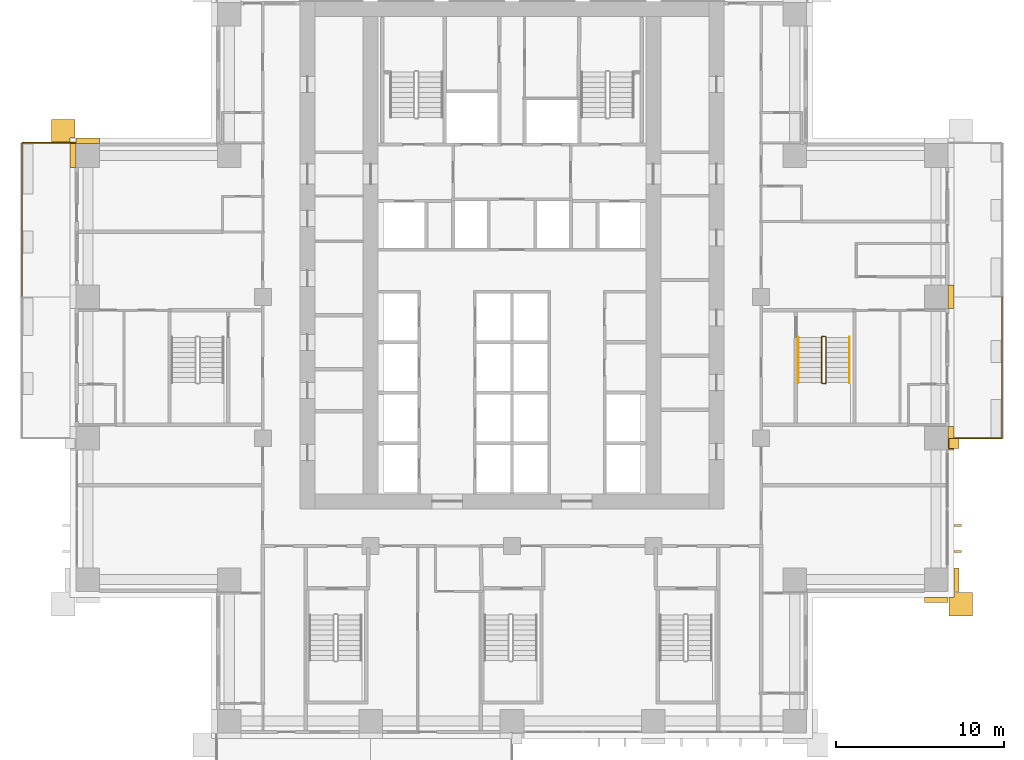
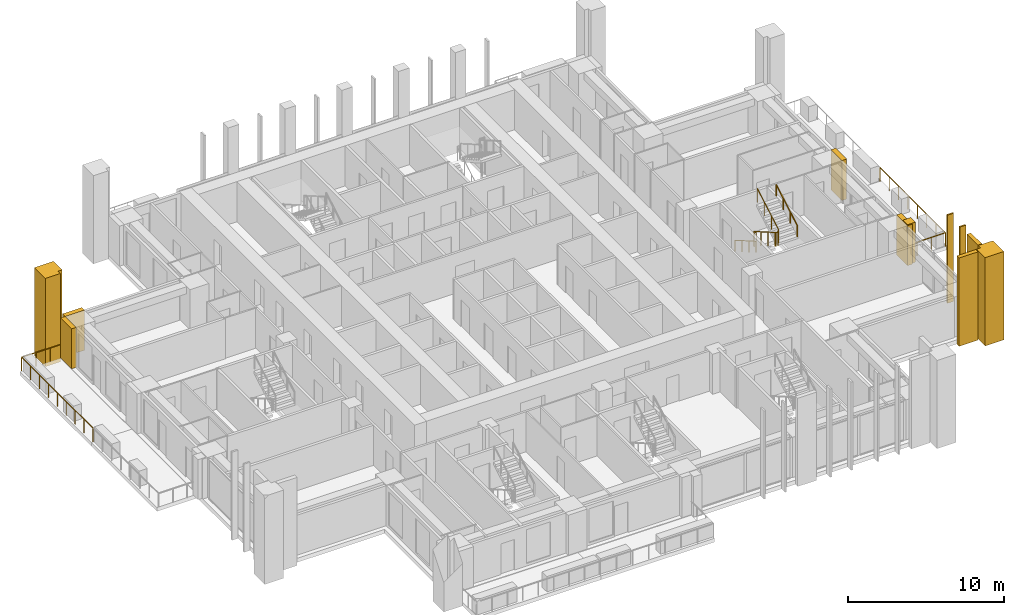
# One storey, part 16 of 18: 11 coverings, 5 railings.
"""IFC4 building model written with IfcOpenShell, lengths in metres."""

import ifcopenshell
import ifcopenshell.guid

model = None  # the IFC model being written
_history = None  # IfcOwnerHistory: only IFC2X3 demands one
_inside = {}  # id of a spatial element -> (the spatial element, [elements in it])
_under = {}  # id of a project, library or spatial element -> (it, [spatial elements below it])
_declared = {}  # id of a project -> (the project, [libraries it declares])
_typed = {}  # id of a type object -> (the type object, [elements of that type])
_made_of = {}  # id of a material, layer set ... -> (it, [elements and type objects made of it])


def new_model(schema):
    """Start an empty IFC model of exactly this schema.

    Asked for "IFC4X3", IfcOpenShell would pick the latest addendum, in which some entities
    have other attributes; the version numbers below select the first issue.
    IFC2X3 requires an IfcOwnerHistory on every rooted entity: one is made here for all.
    """
    global model, _history
    if schema == "IFC4X3":
        model = ifcopenshell.file(schema_version=(4, 3, 0, 0))
    else:
        model = ifcopenshell.file(schema=schema)
    _inside.clear()
    _under.clear()
    _declared.clear()
    _typed.clear()
    _made_of.clear()
    _history = None
    if model.schema == "IFC2X3":
        org = make("IfcOrganization", Name="unknown")
        user = make(
            "IfcPersonAndOrganization",
            ThePerson=make("IfcPerson", FamilyName="unknown"),
            TheOrganization=org,
        )
        app = make(
            "IfcApplication",
            ApplicationDeveloper=org,
            Version="unknown",
            ApplicationFullName="unknown",
            ApplicationIdentifier="unknown",
        )
        _history = make(
            "IfcOwnerHistory",
            OwningUser=user,
            OwningApplication=app,
            ChangeAction="ADDED",
            CreationDate=0,
        )
    return model


def make(cls, **values):
    """One entity of the class cls with the attributes given. An attribute that is None is left unset."""
    return model.create_entity(
        cls, **{name: value for name, value in values.items() if value is not None}
    )


def rooted(cls, **values):
    """An entity with a GlobalId (a new one), such as an element, a storey or a relation."""
    return make(cls, GlobalId=ifcopenshell.guid.new(), OwnerHistory=_history, **values)


def si_unit(unit_type, name, prefix=None):
    """IfcSIUnit, for example si_unit("LENGTHUNIT", "METRE", prefix="MILLI")."""
    return make("IfcSIUnit", UnitType=unit_type, Prefix=prefix, Name=name)


def assignment(units):
    """IfcUnitAssignment: the units of a project."""
    return None if units is None else make("IfcUnitAssignment", Units=units)


def point(xyz):
    """IfcCartesianPoint."""
    return None if xyz is None else make("IfcCartesianPoint", Coordinates=xyz)


def direction(xyz):
    """IfcDirection."""
    return None if xyz is None else make("IfcDirection", DirectionRatios=xyz)


def frame(location, z_axis=None, x_axis=None):
    """IfcAxis2Placement3D, a coordinate frame: its origin and axes. An axis left out is left unset."""
    return make(
        "IfcAxis2Placement3D",
        Location=point(location),
        Axis=direction(z_axis),
        RefDirection=direction(x_axis),
    )


def frame_2d(location, x_axis=None):
    """IfcAxis2Placement2D, a coordinate frame in the plane: its origin and x axis."""
    return make(
        "IfcAxis2Placement2D", Location=point(location), RefDirection=direction(x_axis)
    )


def origin():
    """The frame at (0, 0, 0) with its axes left unset."""
    return frame((0.0, 0.0, 0.0))


def origin_2d():
    """The frame at (0, 0) in the plane with its x axis left unset."""
    return frame_2d((0.0, 0.0))


def place(relative_to, where):
    """IfcLocalPlacement: puts the frame where relative to a parent placement (None: the world)."""
    return make(
        "IfcLocalPlacement", PlacementRelTo=relative_to, RelativePlacement=where
    )


def context(
    kind, dimensions, precision=None, world=None, true_north=None, identifier=None
):
    """IfcGeometricRepresentationContext, for example the 3D "Model" context."""
    return make(
        "IfcGeometricRepresentationContext",
        ContextIdentifier=identifier,
        ContextType=kind,
        CoordinateSpaceDimension=dimensions,
        Precision=precision,
        WorldCoordinateSystem=world,
        TrueNorth=true_north,
    )


def subcontext(parent, identifier, kind, view, scale=None):
    """IfcGeometricRepresentationSubContext, for example "Body" below "Model"."""
    return make(
        "IfcGeometricRepresentationSubContext",
        ContextIdentifier=identifier,
        ContextType=kind,
        ParentContext=parent,
        TargetScale=scale,
        TargetView=view,
    )


def project(units=None, contexts=None):
    """IfcProject with its units and contexts."""
    return rooted(
        "IfcProject",
        Name="project",
        RepresentationContexts=contexts,
        UnitsInContext=assignment(units),
    )


def spatial(cls, under=None, at=None, **own):
    """A site, building, storey or space (cls), placed at a placement, below another one or the project."""
    s = rooted(cls, ObjectPlacement=at, **own)
    if under is not None:
        _under.setdefault(under.id(), (under, []))[1].append(s)
    return s


def polyline(points):
    """IfcPolyline through the points."""
    return make("IfcPolyline", Points=[point(p) for p in points])


def profile(cls, at=None, kind="AREA", **sizes):
    """A parametric profile (cls). Its sizes go by their IFC names, for example OverallWidth=200.0."""
    return make(cls, ProfileType=kind, Position=at, **sizes)


def rectangle(**sizes):
    """IfcRectangleProfileDef."""
    return profile("IfcRectangleProfileDef", **sizes)


def outline(outer, holes=None, kind="AREA"):
    """IfcArbitraryClosedProfileDef: a profile drawn as a closed curve; with holes, ...WithVoids."""
    if holes is None:
        return make("IfcArbitraryClosedProfileDef", ProfileType=kind, OuterCurve=outer)
    return make(
        "IfcArbitraryProfileDefWithVoids",
        ProfileType=kind,
        OuterCurve=outer,
        InnerCurves=holes,
    )


def extrude(swept, where, along, depth):
    """IfcExtrudedAreaSolid: the profile swept, set in the frame where, extruded along a direction by depth."""
    return make(
        "IfcExtrudedAreaSolid",
        SweptArea=swept,
        Position=where,
        ExtrudedDirection=direction(along),
        Depth=depth,
    )


def shape(context_of_items, identifier, shape_type, items):
    """IfcShapeRepresentation: the items that make up one representation, for example the "Body"."""
    return make(
        "IfcShapeRepresentation",
        ContextOfItems=context_of_items,
        RepresentationIdentifier=identifier,
        RepresentationType=shape_type,
        Items=items,
    )


def material(Name=None, Category=None):
    """IfcMaterial."""
    return make("IfcMaterial", Name=Name, Category=Category)


def layer(
    of_material, thickness, ventilated=None, Name=None, Category=None, Priority=None
):
    """IfcMaterialLayer: one layer of a wall or slab, of a material (None: an air gap)."""
    return make(
        "IfcMaterialLayer",
        Material=of_material,
        LayerThickness=thickness,
        IsVentilated=ventilated,
        Name=Name,
        Category=Category,
        Priority=Priority,
    )


def layer_set(layers, Name=None):
    """IfcMaterialLayerSet."""
    return make("IfcMaterialLayerSet", MaterialLayers=layers, LayerSetName=Name)


def made_of(thing, what):
    """Note that an element or type object is made of a material, layer set ...; save() writes the relation."""
    if what is not None:
        _made_of.setdefault(what.id(), (what, []))[1].append(thing)
    return thing


def type_object(cls, material=None, **own):
    """A type object (cls), such as IfcWallType, which elements share."""
    return made_of(rooted(cls, **own), material)


def element(
    cls,
    number,
    at=None,
    inside=None,
    cuts=None,
    type_object=None,
    material=None,
    context=None,
    identifier="Body",
    shape_type=None,
    held_by="IfcProductDefinitionShape",
    body=None,
    shapes=None,
    **own,
):
    """One element of the class cls, such as IfcWall. Its Tag is "e" and its number.

    at: its placement. inside: the storey or other place that contains it. cuts: it is an
    opening in that element (IfcRelVoidsElement). A single representation is given by context,
    identifier, shape_type and body (its items); several are given by shapes. held_by: the class
    of the entity that holds the representations. save() writes the other relations.
    """
    e = rooted(cls, Tag="e%d" % number, ObjectPlacement=at, **own)
    if body is not None:
        shapes = [shape(context, identifier, shape_type, body)]
    if shapes is not None:
        e.Representation = make(held_by, Representations=shapes)
    if inside is not None:
        _inside.setdefault(inside.id(), (inside, []))[1].append(e)
    if cuts is not None:
        rooted(
            "IfcRelVoidsElement", RelatingBuildingElement=cuts, RelatedOpeningElement=e
        )
    if type_object is not None:
        _typed.setdefault(type_object.id(), (type_object, []))[1].append(e)
    return made_of(e, material)


def aggregate(whole, parts):
    """IfcRelAggregates: a whole, such as a stair, and the parts it consists of."""
    return rooted("IfcRelAggregates", RelatingObject=whole, RelatedObjects=parts)


def save(model, path):
    """Write the relations noted so far, then the file.

    IfcRelAggregates (storeys below a building ...), IfcRelContainedInSpatialStructure (elements
    in a storey), IfcRelDefinesByType, IfcRelAssociatesMaterial and IfcRelDeclares: one each for
    every whole, place, type object, material and project.
    """
    for whole, parts in _under.values():
        aggregate(whole, parts)
    for where, things in _inside.values():
        rooted(
            "IfcRelContainedInSpatialStructure",
            RelatedElements=things,
            RelatingStructure=where,
        )
    for kind, things in _typed.values():
        rooted("IfcRelDefinesByType", RelatedObjects=things, RelatingType=kind)
    for what, things in _made_of.values():
        rooted("IfcRelAssociatesMaterial", RelatedObjects=things, RelatingMaterial=what)
    for by, libraries in _declared.values():
        rooted("IfcRelDeclares", RelatingContext=by, RelatedDefinitions=libraries)
    model.write(path)


model = new_model("IFC4")

# Units and contexts
model_context = context("Model", 3, precision=1e-05, world=origin(), true_north=direction((0.0, 1.0)))
body_context = subcontext(model_context, "Body", "Model", "MODEL_VIEW")
ifc_project = project(units=[si_unit("LENGTHUNIT", "METRE"), si_unit("AREAUNIT", "SQUARE_METRE"), si_unit("VOLUMEUNIT", "CUBIC_METRE"), si_unit("PLANEANGLEUNIT", "RADIAN"), si_unit("MASSUNIT", "GRAM", prefix="KILO")], contexts=[model_context])

# Site, building, storey
site_placement = place(None, origin())
site = spatial("IfcSite", under=ifc_project, at=site_placement, CompositionType="ELEMENT")
building_placement = place(site_placement, origin())
building = spatial("IfcBuilding", under=site, at=building_placement, Name="Vermilion Ogive Tower", CompositionType="ELEMENT")
storey_placement = place(building_placement, frame((0.0, 0.0, 55.199951171875)))
storey = spatial("IfcBuildingStorey", under=building, at=storey_placement, Name="L12", CompositionType="ELEMENT", Elevation=55.199951171875)

# Railings
ifc_material_1 = material(Name="Stainless steel and glass", Category="steel")
railing_type_1 = type_object("IfcRailingType", Name="Balcony guard", PredefinedType="GUARDRAIL", material=ifc_material_1)
railing_1_placement = place(storey_placement, frame((25.949951171875, -4.199951171875, -0.0400390625)))
element("IfcRailing", 1, at=railing_1_placement, inside=storey, type_object=railing_type_1, Name="Guard E02", PredefinedType="GUARDRAIL", context=body_context, shape_type="SweptSolid", body=[
    extrude(rectangle(XDim=0.048095703125, YDim=0.048095703125, at=origin_2d()), frame((0.0, 0.0, 1.076171875), z_axis=(1.0, 0.0, 0.0), x_axis=(0.0, 1.0, 0.0)), (0.0, 0.0, 1.0), 3.16015625),
    extrude(rectangle(XDim=0.048095703125, YDim=0.048095703125, at=origin_2d()), frame((3.16015625, 0.0, 1.076171875), z_axis=(0.0, 1.0, 0.0), x_axis=(-1.0, 0.0, 0.0)), (0.0, 0.0, 1.0), 8.39990234375),
    extrude(rectangle(XDim=0.0419921875, YDim=0.0419921875, at=origin_2d()), origin(), (0.0, 0.0, 1.0), 1.052001953125),
    extrude(rectangle(XDim=0.0419921875, YDim=0.0419921875, at=origin_2d()), frame((1.053466796875, 0.0, 0.0)), (0.0, 0.0, 1.0), 1.052001953125),
    extrude(rectangle(XDim=0.0419921875, YDim=0.0419921875, at=origin_2d()), frame((2.106689453125, 0.0, 0.0)), (0.0, 0.0, 1.0), 1.052001953125),
    extrude(rectangle(XDim=0.0419921875, YDim=0.0419921875, at=origin_2d()), frame((3.16015625, 0.0, 0.0)), (0.0, 0.0, 1.0), 1.052001953125),
    extrude(rectangle(XDim=0.0419921875, YDim=0.0419921875, at=origin_2d()), frame((3.16015625, 1.199951171875, 0.0)), (0.0, 0.0, 1.0), 1.052001953125),
    extrude(rectangle(XDim=0.0419921875, YDim=0.0419921875, at=origin_2d()), frame((3.16015625, 2.39990234375, 0.0)), (0.0, 0.0, 1.0), 1.052001953125),
    extrude(rectangle(XDim=0.0419921875, YDim=0.0419921875, at=origin_2d()), frame((3.16015625, 3.599853515625, 0.0)), (0.0, 0.0, 1.0), 1.052001953125),
    extrude(rectangle(XDim=0.0419921875, YDim=0.0419921875, at=origin_2d()), frame((3.16015625, 4.800048828125, 0.0)), (0.0, 0.0, 1.0), 1.052001953125),
    extrude(rectangle(XDim=0.0419921875, YDim=0.0419921875, at=origin_2d()), frame((3.16015625, 6.0, 0.0)), (0.0, 0.0, 1.0), 1.052001953125),
    extrude(rectangle(XDim=0.0419921875, YDim=0.0419921875, at=origin_2d()), frame((3.16015625, 7.199951171875, 0.0)), (0.0, 0.0, 1.0), 1.052001953125),
    extrude(rectangle(XDim=0.0419921875, YDim=0.0419921875, at=origin_2d()), frame((3.16015625, 8.39990234375, 0.0)), (0.0, 0.0, 1.0), 1.052001953125),
])
railing_2_placement = place(storey_placement, frame((-25.949951171875, 13.35009765625, -0.0400390625)))
element("IfcRailing", 2, at=railing_2_placement, inside=storey, type_object=railing_type_1, Name="Guard W01", PredefinedType="GUARDRAIL", context=body_context, shape_type="SweptSolid", body=[
    extrude(rectangle(XDim=0.048095703125, YDim=0.048095703125, at=origin_2d()), frame((0.0, 0.0, 1.076171875), z_axis=(-1.0, 0.0, 0.0), x_axis=(0.0, -1.0, 0.0)), (0.0, 0.0, 1.0), 3.16015625),
    extrude(rectangle(XDim=0.048095703125, YDim=0.048095703125, at=origin_2d()), frame((-3.16015625, 0.0, 1.076171875), z_axis=(0.0, -1.0, 0.0), x_axis=(1.0, 0.0, 0.0)), (0.0, 0.0, 1.0), 9.150146484375),
    extrude(rectangle(XDim=0.0419921875, YDim=0.0419921875, at=origin_2d()), origin(), (0.0, 0.0, 1.0), 1.052001953125),
    extrude(rectangle(XDim=0.0419921875, YDim=0.0419921875, at=origin_2d()), frame((-1.053466796875, 0.0, 0.0)), (0.0, 0.0, 1.0), 1.052001953125),
    extrude(rectangle(XDim=0.0419921875, YDim=0.0419921875, at=origin_2d()), frame((-2.106689453125, 0.0, 0.0)), (0.0, 0.0, 1.0), 1.052001953125),
    extrude(rectangle(XDim=0.0419921875, YDim=0.0419921875, at=origin_2d()), frame((-3.16015625, 0.0, 0.0)), (0.0, 0.0, 1.0), 1.052001953125),
    extrude(rectangle(XDim=0.0419921875, YDim=0.0419921875, at=origin_2d()), frame((-3.16015625, -1.143798828125, 0.0)), (0.0, 0.0, 1.0), 1.052001953125),
    extrude(rectangle(XDim=0.0419921875, YDim=0.0419921875, at=origin_2d()), frame((-3.16015625, -2.28759765625, 0.0)), (0.0, 0.0, 1.0), 1.052001953125),
    extrude(rectangle(XDim=0.0419921875, YDim=0.0419921875, at=origin_2d()), frame((-3.16015625, -3.431396484375, 0.0)), (0.0, 0.0, 1.0), 1.052001953125),
    extrude(rectangle(XDim=0.0419921875, YDim=0.0419921875, at=origin_2d()), frame((-3.16015625, -4.5751953125, 0.0)), (0.0, 0.0, 1.0), 1.052001953125),
    extrude(rectangle(XDim=0.0419921875, YDim=0.0419921875, at=origin_2d()), frame((-3.16015625, -5.71875, 0.0)), (0.0, 0.0, 1.0), 1.052001953125),
    extrude(rectangle(XDim=0.0419921875, YDim=0.0419921875, at=origin_2d()), frame((-3.16015625, -6.862548828125, 0.0)), (0.0, 0.0, 1.0), 1.052001953125),
    extrude(rectangle(XDim=0.0419921875, YDim=0.0419921875, at=origin_2d()), frame((-3.16015625, -8.00634765625, 0.0)), (0.0, 0.0, 1.0), 1.052001953125),
    extrude(rectangle(XDim=0.0419921875, YDim=0.0419921875, at=origin_2d()), frame((-3.16015625, -9.150146484375, 0.0)), (0.0, 0.0, 1.0), 1.052001953125),
])

# Coverings
ifc_material_2 = material(Name="Glazed ceramic screen")
ifc_layer = layer(ifc_material_2, 0.14990234375)
ifc_layer_set = layer_set([ifc_layer], Name="Ceramic solar screen fin")
covering_type_1 = type_object("IfcCoveringType", Name="Ceramic solar screen fin", PredefinedType="CLADDING", material=ifc_layer_set)
covering_1_placement = place(storey_placement, frame((0.0, 0.0, -0.320068359375)))
element("IfcCovering", 3, at=covering_1_placement, inside=storey, type_object=covering_type_1, Name="Solar screen blade E971", PredefinedType="CLADDING", context=body_context, shape_type="SweptSolid", body=[
    extrude(outline(polyline([(26.699951171875, -10.985107421875), (26.699951171875, -10.864990234375), (26.25, -10.864990234375), (26.25, -10.985107421875), (26.699951171875, -10.985107421875)])), origin(), (0.0, 0.0, 1.0), 6.900146484375),
])
covering_2_placement = place(storey_placement, frame((0.0, 0.0, -0.320068359375)))
element("IfcCovering", 4, at=covering_2_placement, inside=storey, type_object=covering_type_1, Name="Solar screen blade E972", PredefinedType="CLADDING", context=body_context, shape_type="SweptSolid", body=[
    extrude(outline(polyline([(26.699951171875, -9.43505859375), (26.699951171875, -9.31494140625), (26.25, -9.31494140625), (26.25, -9.43505859375), (26.699951171875, -9.43505859375)])), origin(), (0.0, 0.0, 1.0), 6.900146484375),
])

# Railings
ifc_material_3 = material(Name="Steel S355 painted", Category="steel")
railing_type_2 = type_object("IfcRailingType", Name="Stair guard 1100", PredefinedType="GUARDRAIL", material=ifc_material_3)
railing_3_placement = place(storey_placement, frame((18.60009765625, 1.85009765625, 0.0)))
element("IfcRailing", 5, at=railing_3_placement, inside=storey, type_object=railing_type_2, Name="L12 ST8 stair guard 4", PredefinedType="GUARDRAIL", context=body_context, shape_type="SweptSolid", body=[
    extrude(rectangle(XDim=0.048095703125, YDim=0.048095703125, at=origin_2d()), frame((0.0, 0.0, 1.076171875), z_axis=(-1.0, 0.0, 0.0), x_axis=(0.0, -1.0, 0.0)), (0.0, 0.0, 1.0), 0.150146484375),
    extrude(rectangle(XDim=0.048095703125, YDim=0.048095703125, at=origin_2d()), frame((-0.150146484375, 0.0, 1.076171875), z_axis=(-0.268277960024, -0.268277960024, 0.925231793839), x_axis=(0.707106781187, -0.707106781187, 0.0)), (0.0, 0.0, 1.0), 0.1865234375),
    extrude(rectangle(XDim=0.048095703125, YDim=0.048095703125, at=origin_2d()), frame((-0.2001953125, -0.050048828125, 1.24853515625), z_axis=(0.0, -0.866903762492, 0.498475542607), x_axis=(1.0, 0.0, 0.0)), (0.0, 0.0, 1.0), 3.114501953125),
    extrude(rectangle(XDim=0.048095703125, YDim=0.048095703125, at=origin_2d()), frame((-0.2001953125, -2.75, 2.80126953125), z_axis=(0.707106781187, -0.707106781187, 0.0), x_axis=(0.707106781187, 0.707106781187, 0.0)), (0.0, 0.0, 1.0), 0.07080078125),
    extrude(rectangle(XDim=0.048095703125, YDim=0.048095703125, at=origin_2d()), frame((-0.150146484375, -2.800048828125, 2.80126953125), z_axis=(1.0, 0.0, 0.0), x_axis=(0.0, 1.0, 0.0)), (0.0, 0.0, 1.0), 0.150146484375),
    extrude(rectangle(XDim=0.048095703125, YDim=0.048095703125, at=origin_2d()), frame((0.0, -2.800048828125, 2.80126953125), z_axis=(0.267386790225, 0.268697509785, 0.925368009307), x_axis=(-0.708833529934, 0.705375805398, 0.0)), (0.0, 0.0, 1.0), 0.186279296875),
    extrude(rectangle(XDim=0.048095703125, YDim=0.048095703125, at=origin_2d()), frame((0.0498046875, -2.75, 2.9736328125), z_axis=(0.0, 0.866903762492, 0.498475542607), x_axis=(-1.0, 0.0, 0.0)), (0.0, 0.0, 1.0), 3.114501953125),
    extrude(rectangle(XDim=0.0419921875, YDim=0.0419921875, at=origin_2d()), origin(), (0.0, 0.0, 1.0), 1.052001953125),
    extrude(rectangle(XDim=0.0419921875, YDim=0.0419921875, at=origin_2d()), frame((-0.150146484375, 0.0, 0.0)), (0.0, 0.0, 1.0), 1.052001953125),
    extrude(rectangle(XDim=0.0419921875, YDim=0.0419921875, at=origin_2d()), frame((-0.2001953125, -0.050048828125, 0.172607421875)), (0.0, 0.0, 1.0), 1.052001953125),
    extrude(rectangle(XDim=0.0419921875, YDim=0.0419921875, at=origin_2d()), frame((-0.2001953125, -0.949951171875, 0.690185546875)), (0.0, 0.0, 1.0), 1.052001953125),
    extrude(rectangle(XDim=0.0419921875, YDim=0.0419921875, at=origin_2d()), frame((-0.2001953125, -1.85009765625, 1.20751953125)), (0.0, 0.0, 1.0), 1.052001953125),
    extrude(rectangle(XDim=0.0419921875, YDim=0.0419921875, at=origin_2d()), frame((-0.2001953125, -2.75, 1.72509765625)), (0.0, 0.0, 1.0), 1.052001953125),
    extrude(rectangle(XDim=0.0419921875, YDim=0.0419921875, at=origin_2d()), frame((-0.150146484375, -2.800048828125, 1.72509765625)), (0.0, 0.0, 1.0), 1.052001953125),
    extrude(rectangle(XDim=0.0419921875, YDim=0.0419921875, at=origin_2d()), frame((0.0, -2.800048828125, 1.72509765625)), (0.0, 0.0, 1.0), 1.052001953125),
    extrude(rectangle(XDim=0.0419921875, YDim=0.0419921875, at=origin_2d()), frame((0.0498046875, -2.75, 1.8974609375)), (0.0, 0.0, 1.0), 1.052001953125),
    extrude(rectangle(XDim=0.0419921875, YDim=0.0419921875, at=origin_2d()), frame((0.0498046875, -1.85009765625, 2.4150390625)), (0.0, 0.0, 1.0), 1.052001953125),
    extrude(rectangle(XDim=0.0419921875, YDim=0.0419921875, at=origin_2d()), frame((0.0498046875, -0.949951171875, 2.932373046875)), (0.0, 0.0, 1.0), 1.052001953125),
    extrude(rectangle(XDim=0.0419921875, YDim=0.0419921875, at=origin_2d()), frame((0.0498046875, -0.050048828125, 3.449951171875)), (0.0, 0.0, 1.0), 1.052001953125),
])
ifc_material_4 = material(Name="Stainless steel", Category="steel")
railing_type_3 = type_object("IfcRailingType", Name="Stair handrail 900", PredefinedType="HANDRAIL", material=ifc_material_4)
railing_4_placement = place(storey_placement, frame((17.0, 1.800048828125, 0.172607421875)))
element("IfcRailing", 6, at=railing_4_placement, inside=storey, type_object=railing_type_3, Name="L12 ST8 stair handrail 1", PredefinedType="HANDRAIL", context=body_context, shape_type="SweptSolid", body=[
    extrude(rectangle(XDim=0.048095703125, YDim=0.048095703125, at=origin_2d()), frame((0.0, 0.0, 0.8759765625), z_axis=(0.0, -0.866903762492, 0.498475542607), x_axis=(1.0, 0.0, 0.0)), (0.0, 0.0, 1.0), 3.114501953125),
    extrude(rectangle(XDim=0.0419921875, YDim=0.0419921875, at=origin_2d()), origin(), (0.0, 0.0, 1.0), 0.851806640625),
    extrude(rectangle(XDim=0.0419921875, YDim=0.0419921875, at=origin_2d()), frame((0.0, -0.89990234375, 0.517578125)), (0.0, 0.0, 1.0), 0.851806640625),
    extrude(rectangle(XDim=0.0419921875, YDim=0.0419921875, at=origin_2d()), frame((0.0, -1.800048828125, 1.034912109375)), (0.0, 0.0, 1.0), 0.851806640625),
    extrude(rectangle(XDim=0.0419921875, YDim=0.0419921875, at=origin_2d()), frame((0.0, -2.699951171875, 1.552490234375)), (0.0, 0.0, 1.0), 0.851806640625),
])
railing_5_placement = place(storey_placement, frame((20.050048828125, -0.89990234375, 1.8974609375)))
element("IfcRailing", 7, at=railing_5_placement, inside=storey, type_object=railing_type_3, Name="L12 ST8 stair handrail 2", PredefinedType="HANDRAIL", context=body_context, shape_type="SweptSolid", body=[
    extrude(rectangle(XDim=0.048095703125, YDim=0.048095703125, at=origin_2d()), frame((0.0, 0.0, 0.8759765625), z_axis=(0.0, 0.866903762492, 0.498475542607), x_axis=(-1.0, 0.0, 0.0)), (0.0, 0.0, 1.0), 3.114501953125),
    extrude(rectangle(XDim=0.0419921875, YDim=0.0419921875, at=origin_2d()), origin(), (0.0, 0.0, 1.0), 0.851806640625),
    extrude(rectangle(XDim=0.0419921875, YDim=0.0419921875, at=origin_2d()), frame((0.0, 0.89990234375, 0.517578125)), (0.0, 0.0, 1.0), 0.851806640625),
    extrude(rectangle(XDim=0.0419921875, YDim=0.0419921875, at=origin_2d()), frame((0.0, 1.800048828125, 1.034912109375)), (0.0, 0.0, 1.0), 0.851806640625),
    extrude(rectangle(XDim=0.0419921875, YDim=0.0419921875, at=origin_2d()), frame((0.0, 2.699951171875, 1.552490234375)), (0.0, 0.0, 1.0), 0.851806640625),
])

# Coverings
ifc_material_5 = material(Name="Stone cladding", Category="masonry")
covering_type_2 = type_object("IfcCoveringType", Name="Stone corner buttress", PredefinedType="CLADDING", material=ifc_material_5)
covering_3_placement = place(storey_placement, origin())
element("IfcCovering", 8, at=covering_3_placement, inside=storey, type_object=covering_type_2, Name="Stone crease pier EK", PredefinedType="CLADDING", context=body_context, shape_type="SweptSolid", body=[
    extrude(outline(polyline([(26.550048828125, -4.800048828125), (26.550048828125, -4.199951171875), (25.949951171875, -4.199951171875), (25.949951171875, -4.800048828125), (26.550048828125, -4.800048828125)])), origin(), (0.0, 0.0, 1.0), 3.130126953125),
])
covering_4_placement = place(storey_placement, frame((0.0, 0.0, -0.320068359375)))
element("IfcCovering", 9, at=covering_4_placement, inside=storey, type_object=covering_type_2, Name="Stone corner buttress E1", PredefinedType="CLADDING", context=body_context, shape_type="SweptSolid", body=[
    extrude(outline(polyline([(25.949951171875, -13.64990234375), (26.25, -13.64990234375), (26.25, -13.35009765625), (27.35009765625, -13.35009765625), (27.35009765625, -14.75), (25.949951171875, -14.75), (25.949951171875, -13.64990234375)])), origin(), (0.0, 0.0, 1.0), 6.900146484375),
])
covering_5_placement = place(storey_placement, frame((0.0, 0.0, -0.320068359375)))
element("IfcCovering", 10, at=covering_5_placement, inside=storey, type_object=covering_type_2, Name="Stone corner buttress W1", PredefinedType="CLADDING", context=body_context, shape_type="SweptSolid", body=[
    extrude(outline(polyline([(-26.25, 13.64990234375), (-26.25, 13.35009765625), (-27.35009765625, 13.35009765625), (-27.35009765625, 14.75), (-25.949951171875, 14.75), (-25.949951171875, 13.64990234375), (-26.25, 13.64990234375)])), origin(), (0.0, 0.0, 1.0), 6.900146484375),
])
ifc_material_6 = material(Name="Stone cladding", Category="masonry")
covering_type_3 = type_object("IfcCoveringType", Name="Stone pier", PredefinedType="CLADDING", material=ifc_material_6)
covering_6_placement = place(storey_placement, frame((0.0, 0.0, -0.320068359375)))
element("IfcCovering", 11, at=covering_6_placement, inside=storey, type_object=covering_type_3, Name="Stone pier P+0252-126X2", PredefinedType="CLADDING", context=body_context, shape_type="SweptSolid", body=[
    extrude(outline(polyline([(25.89990234375, -13.949951171875), (24.5, -13.949951171875), (24.5, -13.64990234375), (25.89990234375, -13.64990234375), (25.89990234375, -13.949951171875)])), origin(), (0.0, 0.0, 1.0), 6.900146484375),
])
covering_7_placement = place(storey_placement, frame((0.0, 0.0, -0.320068359375)))
element("IfcCovering", 12, at=covering_7_placement, inside=storey, type_object=covering_type_3, Name="Stone pier P+0252-126E", PredefinedType="CLADDING", context=body_context, shape_type="SweptSolid", body=[
    extrude(outline(polyline([(26.550048828125, -13.300048828125), (26.25, -13.300048828125), (26.25, -11.89990234375), (26.550048828125, -11.89990234375), (26.550048828125, -13.300048828125)])), origin(), (0.0, 0.0, 1.0), 6.900146484375),
])
covering_8_placement = place(storey_placement, origin())
element("IfcCovering", 13, at=covering_8_placement, inside=storey, type_object=covering_type_3, Name="Stone pier P+0252+042", PredefinedType="CLADDING", context=body_context, shape_type="SweptSolid", body=[
    extrude(outline(polyline([(26.25, 4.89990234375), (26.25, 3.5), (25.89990234375, 3.5), (25.89990234375, 4.89990234375), (26.25, 4.89990234375)])), origin(), (0.0, 0.0, 1.0), 3.130126953125),
])
covering_9_placement = place(storey_placement, origin())
element("IfcCovering", 14, at=covering_9_placement, inside=storey, type_object=covering_type_3, Name="Stone pier P+0252-042", PredefinedType="CLADDING", context=body_context, shape_type="SweptSolid", body=[
    extrude(outline(polyline([(26.25, -3.5), (26.25, -4.199951171875), (25.949951171875, -4.199951171875), (25.949951171875, -4.800048828125), (26.25, -4.800048828125), (26.25, -4.89990234375), (25.89990234375, -4.89990234375), (25.89990234375, -3.5), (26.25, -3.5)])), origin(), (0.0, 0.0, 1.0), 3.130126953125),
])
covering_10_placement = place(storey_placement, origin())
element("IfcCovering", 15, at=covering_10_placement, inside=storey, type_object=covering_type_3, Name="Stone pier P-0252+126X6", PredefinedType="CLADDING", context=body_context, shape_type="SweptSolid", body=[
    extrude(outline(polyline([(-25.89990234375, 13.300048828125), (-25.89990234375, 13.64990234375), (-24.5, 13.64990234375), (-24.5, 13.300048828125), (-24.5, 13.300048828125), (-25.89990234375, 13.300048828125)])), origin(), (0.0, 0.0, 1.0), 3.130126953125),
])
covering_11_placement = place(storey_placement, origin())
element("IfcCovering", 16, at=covering_11_placement, inside=storey, type_object=covering_type_3, Name="Stone pier P-0252+126W", PredefinedType="CLADDING", context=body_context, shape_type="SweptSolid", body=[
    extrude(outline(polyline([(-26.25, 13.300048828125), (-25.89990234375, 13.300048828125), (-25.89990234375, 11.89990234375), (-26.25, 11.89990234375), (-26.25, 13.300048828125)])), origin(), (0.0, 0.0, 1.0), 3.130126953125),
])

save(model, "model.ifc")
